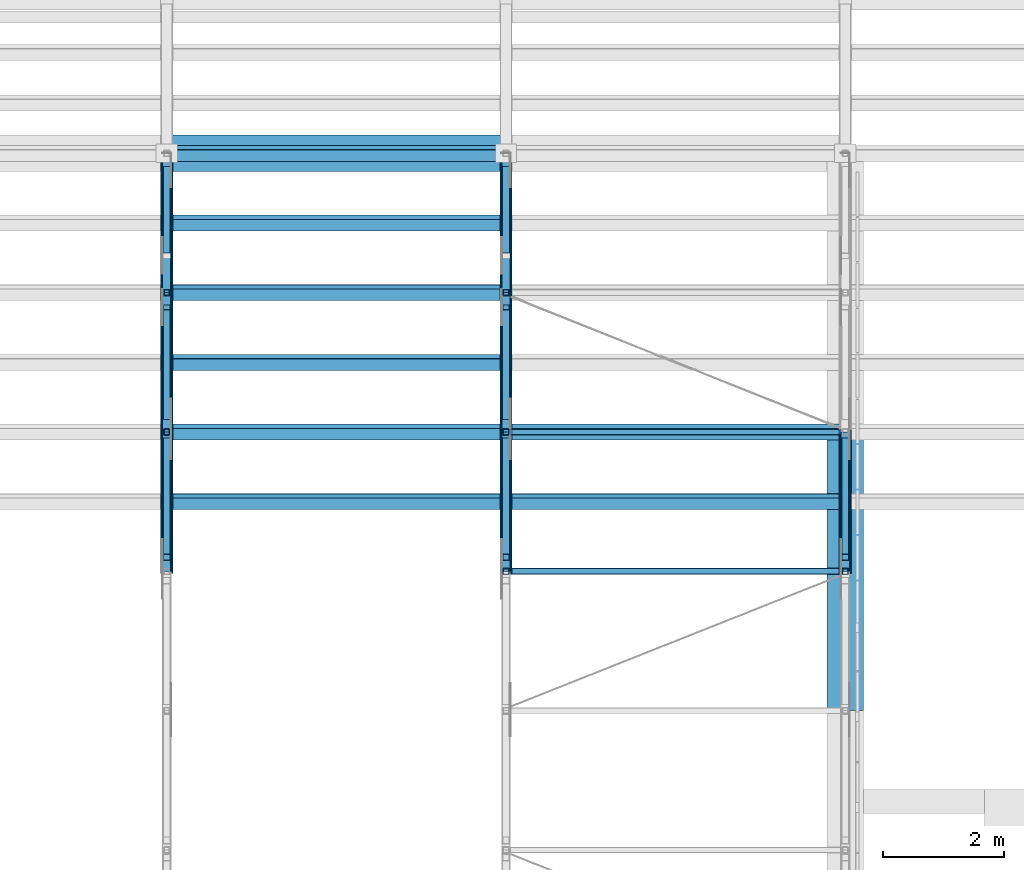
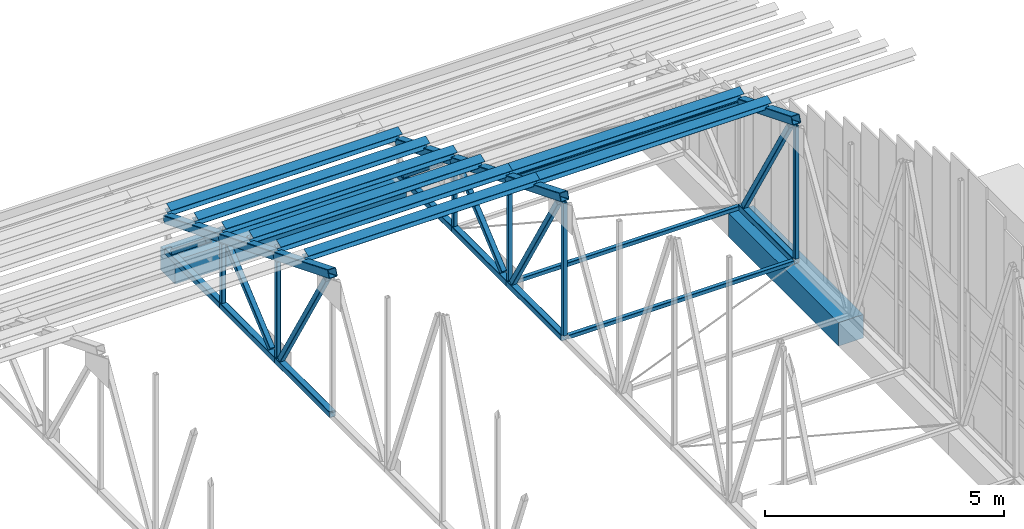
# One storey, part 26 of 71: 38 members, 2 beams.
"""IFC4 building model written with IfcOpenShell, lengths in metres."""

import ifcopenshell
import ifcopenshell.guid

model = None  # the IFC model being written
_history = None  # IfcOwnerHistory: only IFC2X3 demands one
_inside = {}  # id of a spatial element -> (the spatial element, [elements in it])
_under = {}  # id of a project, library or spatial element -> (it, [spatial elements below it])
_declared = {}  # id of a project -> (the project, [libraries it declares])
_typed = {}  # id of a type object -> (the type object, [elements of that type])
_made_of = {}  # id of a material, layer set ... -> (it, [elements and type objects made of it])


def new_model(schema):
    """Start an empty IFC model of exactly this schema.

    Asked for "IFC4X3", IfcOpenShell would pick the latest addendum, in which some entities
    have other attributes; the version numbers below select the first issue.
    IFC2X3 requires an IfcOwnerHistory on every rooted entity: one is made here for all.
    """
    global model, _history
    if schema == "IFC4X3":
        model = ifcopenshell.file(schema_version=(4, 3, 0, 0))
    else:
        model = ifcopenshell.file(schema=schema)
    _inside.clear()
    _under.clear()
    _declared.clear()
    _typed.clear()
    _made_of.clear()
    _history = None
    if model.schema == "IFC2X3":
        org = make("IfcOrganization", Name="unknown")
        user = make(
            "IfcPersonAndOrganization",
            ThePerson=make("IfcPerson", FamilyName="unknown"),
            TheOrganization=org,
        )
        app = make(
            "IfcApplication",
            ApplicationDeveloper=org,
            Version="unknown",
            ApplicationFullName="unknown",
            ApplicationIdentifier="unknown",
        )
        _history = make(
            "IfcOwnerHistory",
            OwningUser=user,
            OwningApplication=app,
            ChangeAction="ADDED",
            CreationDate=0,
        )
    return model


def make(cls, **values):
    """One entity of the class cls with the attributes given. An attribute that is None is left unset."""
    return model.create_entity(
        cls, **{name: value for name, value in values.items() if value is not None}
    )


def rooted(cls, **values):
    """An entity with a GlobalId (a new one), such as an element, a storey or a relation."""
    return make(cls, GlobalId=ifcopenshell.guid.new(), OwnerHistory=_history, **values)


def si_unit(unit_type, name, prefix=None):
    """IfcSIUnit, for example si_unit("LENGTHUNIT", "METRE", prefix="MILLI")."""
    return make("IfcSIUnit", UnitType=unit_type, Prefix=prefix, Name=name)


def assignment(units):
    """IfcUnitAssignment: the units of a project."""
    return None if units is None else make("IfcUnitAssignment", Units=units)


def point(xyz):
    """IfcCartesianPoint."""
    return None if xyz is None else make("IfcCartesianPoint", Coordinates=xyz)


def direction(xyz):
    """IfcDirection."""
    return None if xyz is None else make("IfcDirection", DirectionRatios=xyz)


def frame(location, z_axis=None, x_axis=None):
    """IfcAxis2Placement3D, a coordinate frame: its origin and axes. An axis left out is left unset."""
    return make(
        "IfcAxis2Placement3D",
        Location=point(location),
        Axis=direction(z_axis),
        RefDirection=direction(x_axis),
    )


def frame_2d(location, x_axis=None):
    """IfcAxis2Placement2D, a coordinate frame in the plane: its origin and x axis."""
    return make(
        "IfcAxis2Placement2D", Location=point(location), RefDirection=direction(x_axis)
    )


def origin():
    """The frame at (0, 0, 0) with its axes left unset."""
    return frame((0.0, 0.0, 0.0))


def origin_2d():
    """The frame at (0, 0) in the plane with its x axis left unset."""
    return frame_2d((0.0, 0.0))


def place(relative_to, where):
    """IfcLocalPlacement: puts the frame where relative to a parent placement (None: the world)."""
    return make(
        "IfcLocalPlacement", PlacementRelTo=relative_to, RelativePlacement=where
    )


def context(
    kind, dimensions, precision=None, world=None, true_north=None, identifier=None
):
    """IfcGeometricRepresentationContext, for example the 3D "Model" context."""
    return make(
        "IfcGeometricRepresentationContext",
        ContextIdentifier=identifier,
        ContextType=kind,
        CoordinateSpaceDimension=dimensions,
        Precision=precision,
        WorldCoordinateSystem=world,
        TrueNorth=true_north,
    )


def subcontext(parent, identifier, kind, view, scale=None):
    """IfcGeometricRepresentationSubContext, for example "Body" below "Model"."""
    return make(
        "IfcGeometricRepresentationSubContext",
        ContextIdentifier=identifier,
        ContextType=kind,
        ParentContext=parent,
        TargetScale=scale,
        TargetView=view,
    )


def project(units=None, contexts=None):
    """IfcProject with its units and contexts."""
    return rooted(
        "IfcProject",
        Name="project",
        RepresentationContexts=contexts,
        UnitsInContext=assignment(units),
    )


def spatial(cls, under=None, at=None, **own):
    """A site, building, storey or space (cls), placed at a placement, below another one or the project."""
    s = rooted(cls, ObjectPlacement=at, **own)
    if under is not None:
        _under.setdefault(under.id(), (under, []))[1].append(s)
    return s


def profile(cls, at=None, kind="AREA", **sizes):
    """A parametric profile (cls). Its sizes go by their IFC names, for example OverallWidth=200.0."""
    return make(cls, ProfileType=kind, Position=at, **sizes)


def rectangle(**sizes):
    """IfcRectangleProfileDef."""
    return profile("IfcRectangleProfileDef", **sizes)


def hollow_rectangle(**sizes):
    """IfcRectangleHollowProfileDef."""
    return profile("IfcRectangleHollowProfileDef", **sizes)


def i_section(**sizes):
    """IfcIShapeProfileDef."""
    return profile("IfcIShapeProfileDef", **sizes)


def extrude(swept, where, along, depth):
    """IfcExtrudedAreaSolid: the profile swept, set in the frame where, extruded along a direction by depth."""
    return make(
        "IfcExtrudedAreaSolid",
        SweptArea=swept,
        Position=where,
        ExtrudedDirection=direction(along),
        Depth=depth,
    )


def shape(context_of_items, identifier, shape_type, items):
    """IfcShapeRepresentation: the items that make up one representation, for example the "Body"."""
    return make(
        "IfcShapeRepresentation",
        ContextOfItems=context_of_items,
        RepresentationIdentifier=identifier,
        RepresentationType=shape_type,
        Items=items,
    )


def material(Name=None, Category=None):
    """IfcMaterial."""
    return make("IfcMaterial", Name=Name, Category=Category)


def material_profile(
    of_material, cross_section, Name=None, Category=None, Priority=None
):
    """IfcMaterialProfile: a cross section and its material."""
    return make(
        "IfcMaterialProfile",
        Name=Name,
        Material=of_material,
        Profile=cross_section,
        Priority=Priority,
        Category=Category,
    )


def profile_set(profiles, Name=None, composite=None):
    """IfcMaterialProfileSet."""
    return make(
        "IfcMaterialProfileSet",
        Name=Name,
        MaterialProfiles=profiles,
        CompositeProfile=composite,
    )


def made_of(thing, what):
    """Note that an element or type object is made of a material, layer set ...; save() writes the relation."""
    if what is not None:
        _made_of.setdefault(what.id(), (what, []))[1].append(thing)
    return thing


def type_object(cls, material=None, **own):
    """A type object (cls), such as IfcWallType, which elements share."""
    return made_of(rooted(cls, **own), material)


def element(
    cls,
    number,
    at=None,
    inside=None,
    cuts=None,
    type_object=None,
    material=None,
    context=None,
    identifier="Body",
    shape_type=None,
    held_by="IfcProductDefinitionShape",
    body=None,
    shapes=None,
    **own,
):
    """One element of the class cls, such as IfcWall. Its Tag is "e" and its number.

    at: its placement. inside: the storey or other place that contains it. cuts: it is an
    opening in that element (IfcRelVoidsElement). A single representation is given by context,
    identifier, shape_type and body (its items); several are given by shapes. held_by: the class
    of the entity that holds the representations. save() writes the other relations.
    """
    e = rooted(cls, Tag="e%d" % number, ObjectPlacement=at, **own)
    if body is not None:
        shapes = [shape(context, identifier, shape_type, body)]
    if shapes is not None:
        e.Representation = make(held_by, Representations=shapes)
    if inside is not None:
        _inside.setdefault(inside.id(), (inside, []))[1].append(e)
    if cuts is not None:
        rooted(
            "IfcRelVoidsElement", RelatingBuildingElement=cuts, RelatedOpeningElement=e
        )
    if type_object is not None:
        _typed.setdefault(type_object.id(), (type_object, []))[1].append(e)
    return made_of(e, material)


def aggregate(whole, parts):
    """IfcRelAggregates: a whole, such as a stair, and the parts it consists of."""
    return rooted("IfcRelAggregates", RelatingObject=whole, RelatedObjects=parts)


def save(model, path):
    """Write the relations noted so far, then the file.

    IfcRelAggregates (storeys below a building ...), IfcRelContainedInSpatialStructure (elements
    in a storey), IfcRelDefinesByType, IfcRelAssociatesMaterial and IfcRelDeclares: one each for
    every whole, place, type object, material and project.
    """
    for whole, parts in _under.values():
        aggregate(whole, parts)
    for where, things in _inside.values():
        rooted(
            "IfcRelContainedInSpatialStructure",
            RelatedElements=things,
            RelatingStructure=where,
        )
    for kind, things in _typed.values():
        rooted("IfcRelDefinesByType", RelatedObjects=things, RelatingType=kind)
    for what, things in _made_of.values():
        rooted("IfcRelAssociatesMaterial", RelatedObjects=things, RelatingMaterial=what)
    for by, libraries in _declared.values():
        rooted("IfcRelDeclares", RelatingContext=by, RelatedDefinitions=libraries)
    model.write(path)


model = new_model("IFC4")

# Units and contexts
model_context = context("Model", 3, precision=1e-05, world=origin(), true_north=direction((0.0, 1.0)))
body_context = subcontext(model_context, "Body", "Model", "MODEL_VIEW")
ifc_project = project(units=[si_unit("LENGTHUNIT", "METRE"), si_unit("AREAUNIT", "SQUARE_METRE"), si_unit("VOLUMEUNIT", "CUBIC_METRE"), si_unit("PLANEANGLEUNIT", "RADIAN"), si_unit("MASSUNIT", "GRAM", prefix="KILO")], contexts=[model_context])

# Site, building, storey
site_placement = place(None, origin())
site = spatial("IfcSite", under=ifc_project, at=site_placement, CompositionType="ELEMENT")
building_placement = place(site_placement, origin())
building = spatial("IfcBuilding", under=site, at=building_placement, Name="Wasatch Bagh Community Centre", CompositionType="ELEMENT")
storey_placement = place(building_placement, frame((0.0, 0.0, 12.60009765625)))
storey = spatial("IfcBuildingStorey", under=building, at=storey_placement, Name="L03", CompositionType="ELEMENT", Elevation=12.60009765625)

# Members
ifc_material_1 = material(Name="ASTM A500 Grade C steel", Category="steel")
ifc_material_profile_1 = material_profile(ifc_material_1, hollow_rectangle(XDim=0.1015625, YDim=0.1015625, WallThickness=0.005859375, InnerFilletRadius=0.005859375, OuterFilletRadius=0.01171875, at=origin_2d()), Name="HSS4x4x1/4")
ifc_profile_set_1 = profile_set([ifc_material_profile_1], Name="ASTM A500 Grade C steel")
member_type_1 = type_object("IfcMemberType", Name="SH HSS4x4x1/4 post", PredefinedType="POST", material=ifc_profile_set_1)
member_1_placement = place(storey_placement, frame((134.60009765625, 61.199951171875, 0.76220703125), z_axis=(0.0, 0.0, 1.0), x_axis=(1.0, 0.0, 0.0)))
element("IfcMember", 1, at=member_1_placement, inside=storey, type_object=member_type_1, Name="SH.SA5.PS11", PredefinedType="POST", context=body_context, shape_type="SweptSolid", body=[
    extrude(hollow_rectangle(XDim=0.1015625, YDim=0.1015625, WallThickness=0.005859375, InnerFilletRadius=0.005859375, OuterFilletRadius=0.01171875, at=origin_2d()), origin(), (0.0, 0.0, 1.0), 2.44189453125),
])
member_2_placement = place(storey_placement, frame((134.60009765625, 63.5, 0.76220703125), z_axis=(0.0, 0.0, 1.0), x_axis=(1.0, 0.0, 0.0)))
element("IfcMember", 2, at=member_2_placement, inside=storey, type_object=member_type_1, Name="SH.SA5.PS12", PredefinedType="POST", context=body_context, shape_type="SweptSolid", body=[
    extrude(hollow_rectangle(XDim=0.1015625, YDim=0.1015625, WallThickness=0.005859375, InnerFilletRadius=0.005859375, OuterFilletRadius=0.01171875, at=origin_2d()), origin(), (0.0, 0.0, 1.0), 1.504638671875),
])
member_3_placement = place(storey_placement, frame((140.199951171875, 58.89990234375, 0.76220703125), z_axis=(0.0, 0.0, 1.0), x_axis=(1.0, 0.0, 0.0)))
element("IfcMember", 3, at=member_3_placement, inside=storey, type_object=member_type_1, Name="SH.SA6.PS10", PredefinedType="POST", context=body_context, shape_type="SweptSolid", body=[
    extrude(hollow_rectangle(XDim=0.1015625, YDim=0.1015625, WallThickness=0.005859375, InnerFilletRadius=0.005859375, OuterFilletRadius=0.01171875, at=origin_2d()), origin(), (0.0, 0.0, 1.0), 3.37890625),
])
member_4_placement = place(storey_placement, frame((140.199951171875, 61.199951171875, 0.76220703125), z_axis=(0.0, 0.0, 1.0), x_axis=(1.0, 0.0, 0.0)))
element("IfcMember", 4, at=member_4_placement, inside=storey, type_object=member_type_1, Name="SH.SA6.PS11", PredefinedType="POST", context=body_context, shape_type="SweptSolid", body=[
    extrude(hollow_rectangle(XDim=0.1015625, YDim=0.1015625, WallThickness=0.005859375, InnerFilletRadius=0.005859375, OuterFilletRadius=0.01171875, at=origin_2d()), origin(), (0.0, 0.0, 1.0), 2.44189453125),
])
member_5_placement = place(storey_placement, frame((140.199951171875, 63.5, 0.76220703125), z_axis=(0.0, 0.0, 1.0), x_axis=(1.0, 0.0, 0.0)))
element("IfcMember", 5, at=member_5_placement, inside=storey, type_object=member_type_1, Name="SH.SA6.PS12", PredefinedType="POST", context=body_context, shape_type="SweptSolid", body=[
    extrude(hollow_rectangle(XDim=0.1015625, YDim=0.1015625, WallThickness=0.005859375, InnerFilletRadius=0.005859375, OuterFilletRadius=0.01171875, at=origin_2d()), origin(), (0.0, 0.0, 1.0), 1.504638671875),
])
member_6_placement = place(storey_placement, frame((145.800048828125, 58.89990234375, 0.76220703125), z_axis=(0.0, 0.0, 1.0), x_axis=(1.0, 0.0, 0.0)))
element("IfcMember", 6, at=member_6_placement, inside=storey, type_object=member_type_1, Name="SH.SA7.PS10", PredefinedType="POST", context=body_context, shape_type="SweptSolid", body=[
    extrude(hollow_rectangle(XDim=0.1015625, YDim=0.1015625, WallThickness=0.005859375, InnerFilletRadius=0.005859375, OuterFilletRadius=0.01171875, at=origin_2d()), origin(), (0.0, 0.0, 1.0), 3.37890625),
])
ifc_material_profile_2 = material_profile(ifc_material_1, hollow_rectangle(XDim=0.1015625, YDim=0.1015625, WallThickness=0.005859375, InnerFilletRadius=0.005859375, OuterFilletRadius=0.01171875, at=origin_2d()), Name="HSS4x4x1/4")
ifc_profile_set_2 = profile_set([ifc_material_profile_2], Name="ASTM A500 Grade C steel")
member_type_2 = type_object("IfcMemberType", Name="SH HSS4x4x1/4 strut", PredefinedType="STRUT", material=ifc_profile_set_2)
member_7_placement = place(storey_placement, frame((140.29541015625, 61.199951171875, 3.35888671875), z_axis=(1.0, 0.0, 0.0), x_axis=(0.0, 1.0, 0.0)))
element("IfcMember", 7, at=member_7_placement, inside=storey, type_object=member_type_2, Name="SH.BR.eT.ST11W", PredefinedType="STRUT", context=body_context, shape_type="SweptSolid", body=[
    extrude(hollow_rectangle(XDim=0.1015625, YDim=0.1015625, WallThickness=0.005859375, InnerFilletRadius=0.005859375, OuterFilletRadius=0.01171875, at=origin_2d()), origin(), (0.0, 0.0, 1.0), 5.4091796875),
])
for number, where, z_axis, x_axis, name in (
    (8, (140.27001953125, 58.89990234375, 0.68603515625), (1.0, 0.0, 0.0), (0.0, 1.0, 0.0), "SH.BR.eB.ST09E"),
    (9, (140.27001953125, 61.199951171875, 0.68603515625), (1.0, 0.0, 0.0), (0.0, 1.0, 0.0), "SH.BR.eB.ST11W"),
):
    element("IfcMember", number, at=place(storey_placement, frame(where, z_axis=z_axis, x_axis=x_axis)), inside=storey, type_object=member_type_2, Name=name, PredefinedType="STRUT", context=body_context, shape_type="SweptSolid", body=[
        extrude(hollow_rectangle(XDim=0.1015625, YDim=0.1015625, WallThickness=0.005859375, InnerFilletRadius=0.005859375, OuterFilletRadius=0.01171875, at=origin_2d()), origin(), (0.0, 0.0, 1.0), 5.4599609375),
    ])
ifc_material_profile_3 = material_profile(ifc_material_1, hollow_rectangle(XDim=0.126953125, YDim=0.126953125, WallThickness=0.00732421875, InnerFilletRadius=0.00732421875, OuterFilletRadius=0.0146484375, at=origin_2d()), Name="HSS5x5x5/16")
ifc_profile_set_3 = profile_set([ifc_material_profile_3], Name="ASTM A500 Grade C steel")
member_type_3 = type_object("IfcMemberType", Name="SH HSS5x5x5/16 brace", PredefinedType="BRACE", material=ifc_profile_set_3)
member_8_placement = place(storey_placement, frame((134.60009765625, 61.046142578125, 0.795166015625), z_axis=(0.0, -0.5113669513, 0.859362462014), x_axis=(1.0, 0.0, 0.0)))
element("IfcMember", 10, at=member_8_placement, inside=storey, type_object=member_type_3, Name="SH.SA5.WB10", PredefinedType="BRACE", context=body_context, shape_type="SweptSolid", body=[
    extrude(hollow_rectangle(XDim=0.126953125, YDim=0.126953125, WallThickness=0.00732421875, InnerFilletRadius=0.00732421875, OuterFilletRadius=0.0146484375, at=origin_2d()), origin(), (0.0, 0.0, 1.0), 3.744873046875),
])
member_9_placement = place(storey_placement, frame((134.60009765625, 61.4501953125, 0.81103515625), z_axis=(0.0, 0.760719100191, 0.649081235751), x_axis=(-1.0, 0.0, 0.0)))
element("IfcMember", 11, at=member_9_placement, inside=storey, type_object=member_type_3, Name="SH.SA5.WB11", PredefinedType="BRACE", context=body_context, shape_type="SweptSolid", body=[
    extrude(hollow_rectangle(XDim=0.126953125, YDim=0.126953125, WallThickness=0.00732421875, InnerFilletRadius=0.00732421875, OuterFilletRadius=0.0146484375, at=origin_2d()), origin(), (0.0, 0.0, 1.0), 2.377197265625),
])
member_10_placement = place(storey_placement, frame((134.60009765625, 65.541259765625, 0.81201171875), z_axis=(0.0, -0.775829568588, 0.630942533441), x_axis=(1.0, 0.0, 0.0)))
element("IfcMember", 12, at=member_10_placement, inside=storey, type_object=member_type_3, Name="SH.SA5.WB12", PredefinedType="BRACE", context=body_context, shape_type="SweptSolid", body=[
    extrude(hollow_rectangle(XDim=0.126953125, YDim=0.126953125, WallThickness=0.00732421875, InnerFilletRadius=0.00732421875, OuterFilletRadius=0.0146484375, at=origin_2d()), origin(), (0.0, 0.0, 1.0), 1.83837890625),
])
member_11_placement = place(storey_placement, frame((140.199951171875, 61.046142578125, 0.795166015625), z_axis=(0.0, -0.5113669513, 0.859362462014), x_axis=(1.0, 0.0, 0.0)))
element("IfcMember", 13, at=member_11_placement, inside=storey, type_object=member_type_3, Name="SH.SA6.WB10", PredefinedType="BRACE", context=body_context, shape_type="SweptSolid", body=[
    extrude(hollow_rectangle(XDim=0.126953125, YDim=0.126953125, WallThickness=0.00732421875, InnerFilletRadius=0.00732421875, OuterFilletRadius=0.0146484375, at=origin_2d()), origin(), (0.0, 0.0, 1.0), 3.744873046875),
])
member_12_placement = place(storey_placement, frame((140.199951171875, 61.4501953125, 0.81103515625), z_axis=(0.0, 0.760719100191, 0.649081235751), x_axis=(-1.0, 0.0, 0.0)))
element("IfcMember", 14, at=member_12_placement, inside=storey, type_object=member_type_3, Name="SH.SA6.WB11", PredefinedType="BRACE", context=body_context, shape_type="SweptSolid", body=[
    extrude(hollow_rectangle(XDim=0.126953125, YDim=0.126953125, WallThickness=0.00732421875, InnerFilletRadius=0.00732421875, OuterFilletRadius=0.0146484375, at=origin_2d()), origin(), (0.0, 0.0, 1.0), 2.377197265625),
])
member_13_placement = place(storey_placement, frame((140.199951171875, 65.541259765625, 0.81201171875), z_axis=(0.0, -0.775829568588, 0.630942533441), x_axis=(1.0, 0.0, 0.0)))
element("IfcMember", 15, at=member_13_placement, inside=storey, type_object=member_type_3, Name="SH.SA6.WB12", PredefinedType="BRACE", context=body_context, shape_type="SweptSolid", body=[
    extrude(hollow_rectangle(XDim=0.126953125, YDim=0.126953125, WallThickness=0.00732421875, InnerFilletRadius=0.00732421875, OuterFilletRadius=0.0146484375, at=origin_2d()), origin(), (0.0, 0.0, 1.0), 1.83837890625),
])
member_14_placement = place(storey_placement, frame((145.800048828125, 61.046142578125, 0.795166015625), z_axis=(0.0, -0.5113669513, 0.859362462014), x_axis=(1.0, 0.0, 0.0)))
element("IfcMember", 16, at=member_14_placement, inside=storey, type_object=member_type_3, Name="SH.SA7.WB10", PredefinedType="BRACE", context=body_context, shape_type="SweptSolid", body=[
    extrude(hollow_rectangle(XDim=0.126953125, YDim=0.126953125, WallThickness=0.00732421875, InnerFilletRadius=0.00732421875, OuterFilletRadius=0.0146484375, at=origin_2d()), origin(), (0.0, 0.0, 1.0), 3.744873046875),
])
ifc_material_profile_4 = material_profile(ifc_material_1, hollow_rectangle(XDim=0.15234375, YDim=0.15234375, WallThickness=0.0087890625, InnerFilletRadius=0.0087890625, OuterFilletRadius=0.017822265625, at=origin_2d()), Name="HSS6x6x3/8")
ifc_profile_set_4 = profile_set([ifc_material_profile_4], Name="ASTM A500 Grade C steel")
member_type_4 = type_object("IfcMemberType", Name="SH HSS6x6x3/8 chord", PredefinedType="CHORD", material=ifc_profile_set_4)
for number, where, z_axis, x_axis, name in (
    (17, (134.60009765625, 58.89990234375, 0.68603515625), (0.0, 1.0, 0.0), (-1.0, 0.0, 0.0), "SH.SA5.BC10"),
    (18, (134.60009765625, 61.199951171875, 0.68603515625), (0.0, 1.0, 0.0), (-1.0, 0.0, 0.0), "SH.SA5.BC11"),
    (19, (134.60009765625, 63.5, 0.68603515625), (0.0, 1.0, 0.0), (-1.0, 0.0, 0.0), "SH.SA5.BC12"),
    (20, (140.199951171875, 58.89990234375, 0.68603515625), (0.0, 1.0, 0.0), (-1.0, 0.0, 0.0), "SH.SA6.BC10"),
    (21, (140.199951171875, 61.199951171875, 0.68603515625), (0.0, 1.0, 0.0), (-1.0, 0.0, 0.0), "SH.SA6.BC11"),
    (22, (140.199951171875, 63.5, 0.68603515625), (0.0, 1.0, 0.0), (-1.0, 0.0, 0.0), "SH.SA6.BC12"),
    (23, (145.800048828125, 58.89990234375, 0.68603515625), (0.0, 1.0, 0.0), (-1.0, 0.0, 0.0), "SH.SA7.BC10"),
):
    element("IfcMember", number, at=place(storey_placement, frame(where, z_axis=z_axis, x_axis=x_axis)), inside=storey, type_object=member_type_4, Name=name, PredefinedType="CHORD", context=body_context, shape_type="SweptSolid", body=[
        extrude(hollow_rectangle(XDim=0.15234375, YDim=0.15234375, WallThickness=0.0087890625, InnerFilletRadius=0.0087890625, OuterFilletRadius=0.017822265625, at=origin_2d()), origin(), (0.0, 0.0, 1.0), 2.300048828125),
    ])
ifc_material_profile_5 = material_profile(ifc_material_1, hollow_rectangle(XDim=0.203125, YDim=0.203125, WallThickness=0.01171875, InnerFilletRadius=0.01171875, OuterFilletRadius=0.023681640625, at=origin_2d()), Name="HSS8x8x1/2")
ifc_profile_set_5 = profile_set([ifc_material_profile_5], Name="ASTM A500 Grade C steel")
member_type_5 = type_object("IfcMemberType", Name="SH HSS8x8x1/2 chord", PredefinedType="CHORD", material=ifc_profile_set_5)
member_15_placement = place(storey_placement, frame((134.60009765625, 58.900390625, 4.287841796875), z_axis=(0.0, 0.92720830339, -0.374546074769), x_axis=(-1.0, 0.0, 0.0)))
element("IfcMember", 24, at=member_15_placement, inside=storey, type_object=member_type_5, Name="SH.SA5.TC11", PredefinedType="CHORD", context=body_context, shape_type="SweptSolid", body=[
    extrude(hollow_rectangle(XDim=0.203125, YDim=0.203125, WallThickness=0.01171875, InnerFilletRadius=0.01171875, OuterFilletRadius=0.023681640625, at=origin_2d()), origin(), (0.0, 0.0, 1.0), 2.4794921875),
])
for number, where, z_axis, x_axis, name in (
    (25, (134.60009765625, 61.200439453125, 3.358642578125), (0.0, 0.927174106992, -0.374630718605), (-1.0, 0.0, 0.0), "SH.SA5.TC12"),
    (26, (134.60009765625, 63.50048828125, 2.429443359375), (0.0, 0.927174106992, -0.374630718605), (-1.0, 0.0, 0.0), "SH.SA5.TC13"),
):
    element("IfcMember", number, at=place(storey_placement, frame(where, z_axis=z_axis, x_axis=x_axis)), inside=storey, type_object=member_type_5, Name=name, PredefinedType="CHORD", context=body_context, shape_type="SweptSolid", body=[
        extrude(hollow_rectangle(XDim=0.203125, YDim=0.203125, WallThickness=0.01171875, InnerFilletRadius=0.01171875, OuterFilletRadius=0.023681640625, at=origin_2d()), origin(), (0.0, 0.0, 1.0), 2.479736328125),
    ])
member_16_placement = place(storey_placement, frame((140.199951171875, 58.900390625, 4.287841796875), z_axis=(0.0, 0.92720830339, -0.374546074769), x_axis=(-1.0, 0.0, 0.0)))
element("IfcMember", 27, at=member_16_placement, inside=storey, type_object=member_type_5, Name="SH.SA6.TC11", PredefinedType="CHORD", context=body_context, shape_type="SweptSolid", body=[
    extrude(hollow_rectangle(XDim=0.203125, YDim=0.203125, WallThickness=0.01171875, InnerFilletRadius=0.01171875, OuterFilletRadius=0.023681640625, at=origin_2d()), origin(), (0.0, 0.0, 1.0), 2.4794921875),
])
for number, where, z_axis, x_axis, name in (
    (28, (140.199951171875, 61.200439453125, 3.358642578125), (0.0, 0.927174106992, -0.374630718605), (-1.0, 0.0, 0.0), "SH.SA6.TC12"),
    (29, (140.199951171875, 63.50048828125, 2.429443359375), (0.0, 0.927174106992, -0.374630718605), (-1.0, 0.0, 0.0), "SH.SA6.TC13"),
):
    element("IfcMember", number, at=place(storey_placement, frame(where, z_axis=z_axis, x_axis=x_axis)), inside=storey, type_object=member_type_5, Name=name, PredefinedType="CHORD", context=body_context, shape_type="SweptSolid", body=[
        extrude(hollow_rectangle(XDim=0.203125, YDim=0.203125, WallThickness=0.01171875, InnerFilletRadius=0.01171875, OuterFilletRadius=0.023681640625, at=origin_2d()), origin(), (0.0, 0.0, 1.0), 2.479736328125),
    ])
member_17_placement = place(storey_placement, frame((145.800048828125, 58.900390625, 4.287841796875), z_axis=(0.0, 0.92720830339, -0.374546074769), x_axis=(-1.0, 0.0, 0.0)))
element("IfcMember", 30, at=member_17_placement, inside=storey, type_object=member_type_5, Name="SH.SA7.TC11", PredefinedType="CHORD", context=body_context, shape_type="SweptSolid", body=[
    extrude(hollow_rectangle(XDim=0.203125, YDim=0.203125, WallThickness=0.01171875, InnerFilletRadius=0.01171875, OuterFilletRadius=0.023681640625, at=origin_2d()), origin(), (0.0, 0.0, 1.0), 2.4794921875),
])

# Beams
ifc_material_2 = material(Name="Concrete C40", Category="concrete")
ifc_material_profile_6 = material_profile(ifc_material_2, rectangle(XDim=0.60009765625, YDim=0.60009765625, at=origin_2d()), Name="RC 600x600")
ifc_profile_set_6 = profile_set([ifc_material_profile_6], Name="Concrete C40")
beam_type = type_object("IfcBeamType", Name="SH RC 600x600 beam", PredefinedType="BEAM", material=ifc_profile_set_6)
beam_1_placement = place(storey_placement, frame((134.60009765625, 65.800048828125, 0.2998046875), z_axis=(1.0, 0.0, 0.0), x_axis=(0.0, 1.0, 0.0)))
element("IfcBeam", 31, at=beam_1_placement, inside=storey, type_object=beam_type, Name="SH.beam.L03.ring11", PredefinedType="BEAM", context=body_context, shape_type="SweptSolid", body=[
    extrude(rectangle(XDim=0.60009765625, YDim=0.60009765625, at=origin_2d()), origin(), (0.0, 0.0, 1.0), 5.599853515625),
])
beam_2_placement = place(storey_placement, frame((145.800048828125, 56.60009765625, 0.2998046875), z_axis=(0.0, 1.0, 0.0), x_axis=(-1.0, 0.0, 0.0)))
element("IfcBeam", 32, at=beam_2_placement, inside=storey, type_object=beam_type, Name="SH.beam.L03.ring23", PredefinedType="BEAM", context=body_context, shape_type="SweptSolid", body=[
    extrude(rectangle(XDim=0.60009765625, YDim=0.60009765625, at=origin_2d()), origin(), (0.0, 0.0, 1.0), 4.599853515625),
])

# Members
ifc_material_3 = material(Name="ASTM A992 Grade 50 steel", Category="steel")
ifc_material_profile_7 = material_profile(ifc_material_3, i_section(OverallWidth=0.203125, OverallDepth=0.203125, WebThickness=0.00732421875, FlangeThickness=0.010986328125, at=origin_2d()), Name="W8x31")
ifc_profile_set_7 = profile_set([ifc_material_profile_7], Name="ASTM A992 Grade 50 steel")
member_type_6 = type_object("IfcMemberType", Name="SH W8x31 purlin", PredefinedType="PURLIN", material=ifc_profile_set_7)
for number, where, z_axis, x_axis, name in (
    (33, (134.60009765625, 60.050048828125, 4.042724609375), (1.0, 0.0, 0.0), (0.0, 0.927183854567, 0.374606593416), "SH.PUR.b5.PU23"),
    (34, (134.60009765625, 61.199951171875, 3.577880859375), (1.0, 0.0, 0.0), (0.0, 0.927183854567, 0.374606593416), "SH.PUR.b5.PU24"),
    (35, (134.60009765625, 62.35009765625, 3.11328125), (1.0, 0.0, 0.0), (0.0, 0.927183854567, 0.374606593416), "SH.PUR.b5.PU25"),
    (36, (134.60009765625, 63.5, 2.648681640625), (1.0, 0.0, 0.0), (0.0, 0.927183854567, 0.374606593416), "SH.PUR.b5.PU26"),
    (37, (134.60009765625, 64.64990234375, 2.18408203125), (1.0, 0.0, 0.0), (0.0, 0.927183854567, 0.374606593416), "SH.PUR.b5.PU27"),
    (38, (134.60009765625, 65.800048828125, 1.719482421875), (1.0, 0.0, 0.0), (0.0, 0.927183854567, 0.374606593416), "SH.PUR.b5.PU28"),
):
    element("IfcMember", number, at=place(storey_placement, frame(where, z_axis=z_axis, x_axis=x_axis)), inside=storey, type_object=member_type_6, Name=name, PredefinedType="PURLIN", context=body_context, shape_type="SweptSolid", body=[
        extrude(i_section(OverallWidth=0.203125, OverallDepth=0.203125, WebThickness=0.00732421875, FlangeThickness=0.010986328125, at=origin_2d()), origin(), (0.0, 0.0, 1.0), 5.599853515625),
    ])
for number, where, z_axis, x_axis, name in (
    (39, (140.199951171875, 60.050048828125, 4.042724609375), (1.0, 0.0, 0.0), (0.0, 0.927183854567, 0.374606593416), "SH.PUR.b6.PU23"),
    (40, (140.199951171875, 61.199951171875, 3.577880859375), (1.0, 0.0, 0.0), (0.0, 0.927183854567, 0.374606593416), "SH.PUR.b6.PU24"),
):
    element("IfcMember", number, at=place(storey_placement, frame(where, z_axis=z_axis, x_axis=x_axis)), inside=storey, type_object=member_type_6, Name=name, PredefinedType="PURLIN", context=body_context, shape_type="SweptSolid", body=[
        extrude(i_section(OverallWidth=0.203125, OverallDepth=0.203125, WebThickness=0.00732421875, FlangeThickness=0.010986328125, at=origin_2d()), origin(), (0.0, 0.0, 1.0), 5.60009765625),
    ])

save(model, "model.ifc")
